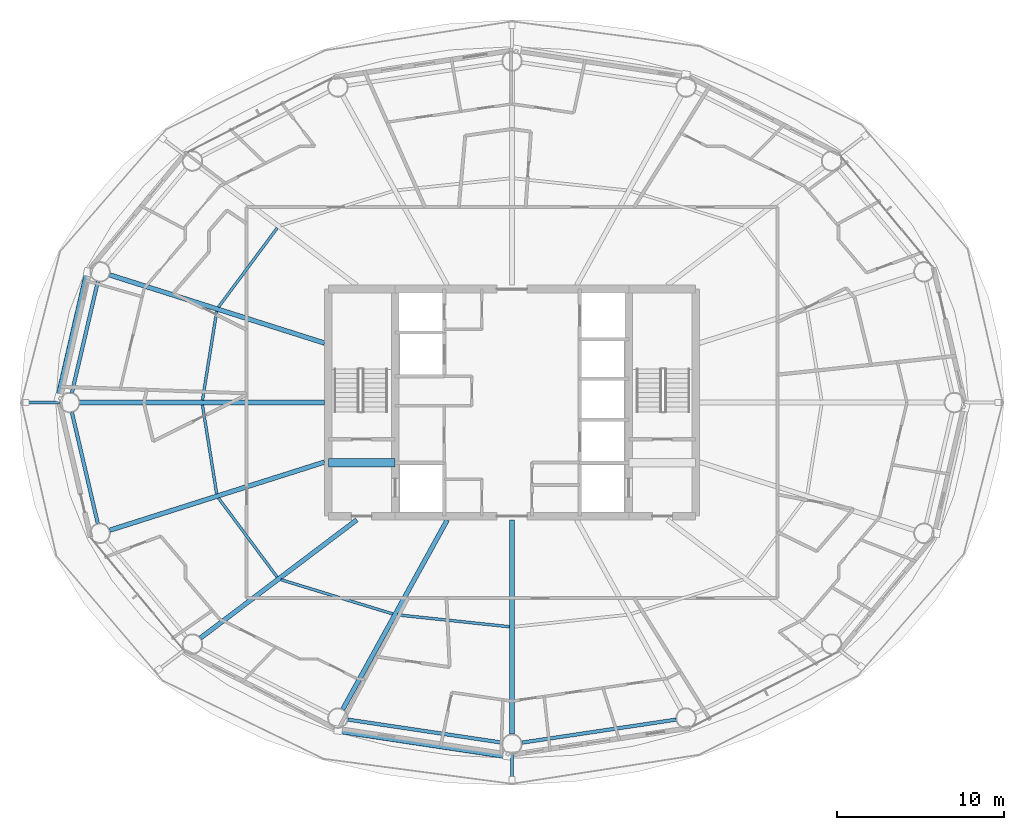
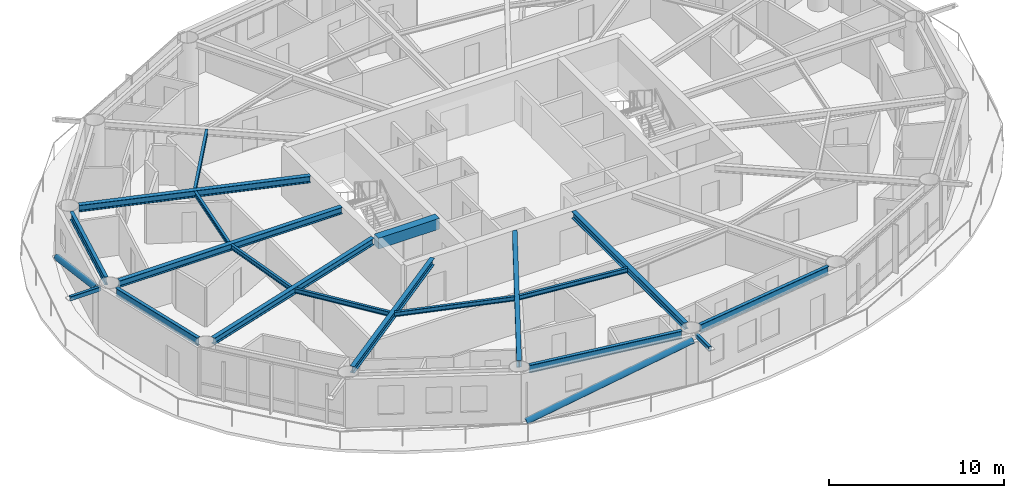
# One storey, part 4 of 28: 17 beams, 4 members.
"""IFC4 building model written with IfcOpenShell, lengths in metres."""

from ifc_helpers import new_model, si_unit, direction, frame, origin, origin_2d, place, context, subcontext, project, spatial, rectangle, hollow_rectangle, hollow_circle, i_section, extrude, material, material_profile, profile_set, type_object, element, save


model = new_model("IFC4")

# Units and contexts
model_context = context("Model", 3, precision=1e-05, world=origin(), true_north=direction((0.0, 1.0)))
body_context = subcontext(model_context, "Body", "Model", "MODEL_VIEW")
ifc_project = project(units=[si_unit("LENGTHUNIT", "METRE"), si_unit("AREAUNIT", "SQUARE_METRE"), si_unit("VOLUMEUNIT", "CUBIC_METRE"), si_unit("PLANEANGLEUNIT", "RADIAN"), si_unit("MASSUNIT", "GRAM", prefix="KILO")], contexts=[model_context])

# Site, building, storey
site_placement = place(None, origin())
site = spatial("IfcSite", under=ifc_project, at=site_placement, CompositionType="ELEMENT")
building_placement = place(site_placement, origin())
building = spatial("IfcBuilding", under=site, at=building_placement, Name="Sarneth Arch Tower", CompositionType="ELEMENT")
storey_placement = place(building_placement, frame((0.0, 0.0, 190.199951171875)))
storey = spatial("IfcBuildingStorey", under=building, at=storey_placement, Name="L48", CompositionType="ELEMENT", Elevation=190.199951171875)

# Beams
ifc_material_1 = material(Name="Steel S355", Category="steel")
ifc_material_profile_1 = material_profile(ifc_material_1, i_section(OverallWidth=0.1669921875, OverallDepth=0.31689453125, WebThickness=0.007568359375, FlangeThickness=0.01318359375, FilletRadius=0.012939453125, at=origin_2d()), Name="W310x52")
ifc_profile_set_1 = profile_set([ifc_material_profile_1], Name="Steel S355")
beam_type_1 = type_object("IfcBeamType", Name="BM-JOIST-310B", PredefinedType="JOIST", material=ifc_profile_set_1)
beam_1_placement = place(storey_placement, frame((33.941162109375, 52.449462890625, 3.221435546875), z_axis=(-0.596190586674, -0.802842938788, 0.0), x_axis=(0.802842938788, -0.596190586674, 0.0)))
element("IfcBeam", 1, at=beam_1_placement, inside=storey, type_object=beam_type_1, Name="L48 Secondary floor joist 07", PredefinedType="JOIST", context=body_context, shape_type="SweptSolid", body=[
    extrude(i_section(OverallWidth=0.1669921875, OverallDepth=0.31689453125, WebThickness=0.007568359375, FlangeThickness=0.01318359375, FilletRadius=0.012939453125, at=origin_2d()), origin(), (0.0, 0.0, 1.0), 5.896484375),
])
for number, where, z_axis, x_axis, name in (
    (2, (30.3203125, 47.46484375, 3.221435546875), (-0.158348792374, -0.987383238643, 0.0), (0.987383238643, -0.158348792374, 0.0), "L48 Secondary floor joist 08"),
    (3, (29.466064453125, 41.86181640625, 3.221435546875), (0.158348792374, -0.987383238643, 0.0), (0.987383238643, 0.158348792374, 0.0), "L48 Secondary floor joist 09"),
):
    element("IfcBeam", number, at=place(storey_placement, frame(where, z_axis=z_axis, x_axis=x_axis)), inside=storey, type_object=beam_type_1, Name=name, PredefinedType="JOIST", context=body_context, shape_type="SweptSolid", body=[
        extrude(i_section(OverallWidth=0.1669921875, OverallDepth=0.31689453125, WebThickness=0.007568359375, FlangeThickness=0.01318359375, FilletRadius=0.012939453125, at=origin_2d()), origin(), (0.0, 0.0, 1.0), 5.394775390625),
    ])
beam_2_placement = place(storey_placement, frame((30.42578125, 36.284423828125, 3.221435546875), z_axis=(0.596190586674, -0.802842938788, 0.0), x_axis=(0.802842938788, 0.596190586674, 0.0)))
element("IfcBeam", 4, at=beam_2_placement, inside=storey, type_object=beam_type_1, Name="L48 Secondary floor joist 10", PredefinedType="JOIST", context=body_context, shape_type="SweptSolid", body=[
    extrude(i_section(OverallWidth=0.1669921875, OverallDepth=0.31689453125, WebThickness=0.007568359375, FlangeThickness=0.01318359375, FilletRadius=0.012939453125, at=origin_2d()), origin(), (0.0, 0.0, 1.0), 5.896484375),
])
beam_3_placement = place(storey_placement, frame((34.15869140625, 31.397216796875, 3.221435546875), z_axis=(0.956178669891, -0.292783796076, 0.0), x_axis=(0.292783796076, 0.956178669891, 0.0)))
element("IfcBeam", 5, at=beam_3_placement, inside=storey, type_object=beam_type_1, Name="L48 Secondary floor joist 11", PredefinedType="JOIST", context=body_context, shape_type="SweptSolid", body=[
    extrude(i_section(OverallWidth=0.1669921875, OverallDepth=0.31689453125, WebThickness=0.007568359375, FlangeThickness=0.01318359375, FilletRadius=0.012939453125, at=origin_2d()), origin(), (0.0, 0.0, 1.0), 7.010986328125),
])
beam_4_placement = place(storey_placement, frame((41.1357421875, 29.288818359375, 3.221435546875), z_axis=(0.994447340543, -0.105235387994, 0.0), x_axis=(0.105235387994, 0.994447340543, 0.0)))
element("IfcBeam", 6, at=beam_4_placement, inside=storey, type_object=beam_type_1, Name="L48 Secondary floor joist 12", PredefinedType="JOIST", context=body_context, shape_type="SweptSolid", body=[
    extrude(i_section(OverallWidth=0.1669921875, OverallDepth=0.31689453125, WebThickness=0.007568359375, FlangeThickness=0.01318359375, FilletRadius=0.012939453125, at=origin_2d()), origin(), (0.0, 0.0, 1.0), 6.7626953125),
])
ifc_material_2 = material(Name="Concrete C50/60", Category="concrete")
ifc_material_profile_2 = material_profile(ifc_material_2, rectangle(XDim=0.5, YDim=0.75, at=origin_2d()), Name="RC-500x750")
ifc_profile_set_2 = profile_set([ifc_material_profile_2], Name="Concrete C50/60")
beam_type_2 = type_object("IfcBeamType", Name="BM-LINTEL-RC", PredefinedType="LINTEL", material=ifc_profile_set_2)
beam_5_placement = place(storey_placement, frame((37.0, 38.39990234375, 3.005126953125), z_axis=(1.0, 0.0, 0.0), x_axis=(0.0, 1.0, 0.0)))
element("IfcBeam", 7, at=beam_5_placement, inside=storey, type_object=beam_type_2, Name="L48 Core coupling lintel W", PredefinedType="LINTEL", context=body_context, shape_type="SweptSolid", body=[
    extrude(rectangle(XDim=0.5, YDim=0.75, at=origin_2d()), origin(), (0.0, 0.0, 1.0), 4.0),
])
ifc_material_3 = material(Name="Steel S355", Category="steel")
ifc_material_profile_3 = material_profile(ifc_material_3, i_section(OverallWidth=0.280029296875, OverallDepth=0.462890625, WebThickness=0.0107421875, FlangeThickness=0.017333984375, FilletRadius=0.01806640625, at=origin_2d()), Name="W460x113")
ifc_profile_set_3 = profile_set([ifc_material_profile_3], Name="Steel S355")
beam_type_3 = type_object("IfcBeamType", Name="BM-RAD-460A", PredefinedType="BEAM", material=ifc_profile_set_3)
beam_6_placement = place(storey_placement, frame((36.77490234375, 45.56201171875, 3.1484375), z_axis=(-0.95316541071, 0.30244949963, 0.0), x_axis=(-0.30244949963, -0.95316541071, 0.0)))
element("IfcBeam", 8, at=beam_6_placement, inside=storey, type_object=beam_type_3, Name="L48 Radial floor girder 08", PredefinedType="BEAM", context=body_context, shape_type="SweptSolid", body=[
    extrude(i_section(OverallWidth=0.280029296875, OverallDepth=0.462890625, WebThickness=0.0107421875, FlangeThickness=0.017333984375, FilletRadius=0.01806640625, at=origin_2d()), origin(), (0.0, 0.0, 1.0), 13.497314453125),
])
beam_7_placement = place(storey_placement, frame((36.77490234375, 42.0, 3.1484375), z_axis=(-1.0, 0.0, 0.0), x_axis=(0.0, -1.0, 0.0)))
element("IfcBeam", 9, at=beam_7_placement, inside=storey, type_object=beam_type_3, Name="L48 Radial floor girder 09", PredefinedType="BEAM", context=body_context, shape_type="SweptSolid", body=[
    extrude(i_section(OverallWidth=0.280029296875, OverallDepth=0.462890625, WebThickness=0.0107421875, FlangeThickness=0.017333984375, FilletRadius=0.01806640625, at=origin_2d()), origin(), (0.0, 0.0, 1.0), 14.661865234375),
])
beam_8_placement = place(storey_placement, frame((36.77490234375, 38.43798828125, 3.1484375), z_axis=(-0.95316541071, -0.30244949963, 0.0), x_axis=(0.30244949963, -0.95316541071, 0.0)))
element("IfcBeam", 10, at=beam_8_placement, inside=storey, type_object=beam_type_3, Name="L48 Radial floor girder 10", PredefinedType="BEAM", context=body_context, shape_type="SweptSolid", body=[
    extrude(i_section(OverallWidth=0.280029296875, OverallDepth=0.462890625, WebThickness=0.0107421875, FlangeThickness=0.017333984375, FilletRadius=0.01806640625, at=origin_2d()), origin(), (0.0, 0.0, 1.0), 13.497314453125),
])
beam_9_placement = place(storey_placement, frame((38.70458984375, 34.97509765625, 3.1484375), z_axis=(-0.797784574467, -0.602942594898, 0.0), x_axis=(0.602942594898, -0.797784574467, 0.0)))
element("IfcBeam", 11, at=beam_9_placement, inside=storey, type_object=beam_type_3, Name="L48 Radial floor girder 11", PredefinedType="BEAM", context=body_context, shape_type="SweptSolid", body=[
    extrude(i_section(OverallWidth=0.280029296875, OverallDepth=0.462890625, WebThickness=0.0107421875, FlangeThickness=0.017333984375, FilletRadius=0.01806640625, at=origin_2d()), origin(), (0.0, 0.0, 1.0), 11.73193359375),
])
beam_10_placement = place(storey_placement, frame((44.125, 34.97509765625, 3.1484375), z_axis=(-0.483010082599, -0.875614789795, 0.0), x_axis=(0.875614789795, -0.483010082599, 0.0)))
element("IfcBeam", 12, at=beam_10_placement, inside=storey, type_object=beam_type_3, Name="L48 Radial floor girder 12", PredefinedType="BEAM", context=body_context, shape_type="SweptSolid", body=[
    extrude(i_section(OverallWidth=0.280029296875, OverallDepth=0.462890625, WebThickness=0.0107421875, FlangeThickness=0.017333984375, FilletRadius=0.01806640625, at=origin_2d()), origin(), (0.0, 0.0, 1.0), 12.954345703125),
])
beam_11_placement = place(storey_placement, frame((48.0, 34.97509765625, 3.1484375), z_axis=(0.0, -1.0, 0.0), x_axis=(1.0, 0.0, 0.0)))
element("IfcBeam", 13, at=beam_11_placement, inside=storey, type_object=beam_type_3, Name="L48 Radial floor girder 13", PredefinedType="BEAM", context=body_context, shape_type="SweptSolid", body=[
    extrude(i_section(OverallWidth=0.280029296875, OverallDepth=0.462890625, WebThickness=0.0107421875, FlangeThickness=0.017333984375, FilletRadius=0.01806640625, at=origin_2d()), origin(), (0.0, 0.0, 1.0), 12.8251953125),
])
ifc_material_4 = material(Name="Steel S355", Category="steel")
ifc_material_profile_4 = material_profile(ifc_material_4, i_section(OverallWidth=0.214111328125, OverallDepth=0.549072265625, WebThickness=0.0146484375, FlangeThickness=0.023681640625, FilletRadius=0.01806640625, at=origin_2d()), Name="W530x138")
ifc_profile_set_4 = profile_set([ifc_material_profile_4], Name="Steel S355")
beam_type_4 = type_object("IfcBeamType", Name="BM-RAD-530A", PredefinedType="BEAM", material=ifc_profile_set_4)
for number, where, z_axis, x_axis, name in (
    (14, (23.20166015625, 49.241455078125, 3.10546875), (-0.227109937572, -0.973869126863, 0.0), (0.973869126863, -0.227109937572, 0.0), "L48 Perimeter spandrel beam 08"),
    (15, (21.649169921875, 41.415771484375, 3.10546875), (0.227109937572, -0.973869126863, 0.0), (0.973869126863, 0.227109937572, 0.0), "L48 Perimeter spandrel beam 09"),
):
    element("IfcBeam", number, at=place(storey_placement, frame(where, z_axis=z_axis, x_axis=x_axis)), inside=storey, type_object=beam_type_4, Name=name, PredefinedType="BEAM", context=body_context, shape_type="SweptSolid", body=[
        extrude(i_section(OverallWidth=0.214111328125, OverallDepth=0.549072265625, WebThickness=0.0146484375, FlangeThickness=0.023681640625, FilletRadius=0.01806640625, at=origin_2d()), origin(), (0.0, 0.0, 1.0), 6.8359375),
    ])
for number, where, z_axis, x_axis, name in (
    (16, (38.171630859375, 23.01806640625, 3.10546875), (0.98902783755, -0.147729267756, 0.0), (0.147729267756, 0.98902783755, 0.0), "L48 Perimeter spandrel beam 12"),
    (17, (48.593505859375, 21.638671875, 3.10546875), (0.98902783755, 0.147729267756, 0.0), (-0.147729267756, 0.98902783755, 0.0), "L48 Perimeter spandrel beam 13"),
):
    element("IfcBeam", number, at=place(storey_placement, frame(where, z_axis=z_axis, x_axis=x_axis)), inside=storey, type_object=beam_type_4, Name=name, PredefinedType="BEAM", context=body_context, shape_type="SweptSolid", body=[
        extrude(i_section(OverallWidth=0.214111328125, OverallDepth=0.549072265625, WebThickness=0.0146484375, FlangeThickness=0.023681640625, FilletRadius=0.01806640625, at=origin_2d()), origin(), (0.0, 0.0, 1.0), 9.33740234375),
    ])

# Members
ifc_material_5 = material(Name="Steel S355", Category="steel")
ifc_material_profile_5 = material_profile(ifc_material_5, hollow_rectangle(XDim=0.199951171875, YDim=0.300048828125, WallThickness=0.012451171875, InnerFilletRadius=0.018798828125, OuterFilletRadius=0.03125, at=origin_2d()), Name="RHS300x200x12.5")
ifc_profile_set_5 = profile_set([ifc_material_profile_5], Name="Steel S355")
member_type_1 = type_object("IfcMemberType", Name="MEM-CANT-STRUT", PredefinedType="STRUT", material=ifc_profile_set_5)
member_1_placement = place(storey_placement, frame((20.9130859375, 42.0, 3.219970703125), z_axis=(-1.0, 0.0, 0.0), x_axis=(0.0, -1.0, 0.0)))
element("IfcMember", 18, at=member_1_placement, inside=storey, type_object=member_type_1, Name="L48 Balcony cantilever bracket 09", PredefinedType="STRUT", context=body_context, shape_type="SweptSolid", body=[
    extrude(hollow_rectangle(XDim=0.199951171875, YDim=0.300048828125, WallThickness=0.012451171875, InnerFilletRadius=0.018798828125, OuterFilletRadius=0.03125, at=origin_2d()), origin(), (0.0, 0.0, 1.0), 2.00830078125),
])
member_2_placement = place(storey_placement, frame((48.0, 20.949951171875, 3.219970703125), z_axis=(0.0, -1.0, 0.0), x_axis=(1.0, 0.0, 0.0)))
element("IfcMember", 19, at=member_2_placement, inside=storey, type_object=member_type_1, Name="L48 Balcony cantilever bracket 13", PredefinedType="STRUT", context=body_context, shape_type="SweptSolid", body=[
    extrude(hollow_rectangle(XDim=0.199951171875, YDim=0.300048828125, WallThickness=0.012451171875, InnerFilletRadius=0.018798828125, OuterFilletRadius=0.03125, at=origin_2d()), origin(), (0.0, 0.0, 1.0), 1.541748046875),
])
ifc_material_6 = material(Name="Steel S355", Category="steel")
ifc_material_profile_6 = material_profile(ifc_material_6, hollow_circle(Radius=0.202880859375, WallThickness=0.01611328125, at=origin_2d()), Name="CHS406x16")
ifc_profile_set_6 = profile_set([ifc_material_profile_6], Name="Steel S355")
member_type_2 = type_object("IfcMemberType", Name="MEM-DIAG-BR2", PredefinedType="BRACE", material=ifc_profile_set_6)
member_3_placement = place(storey_placement, frame((22.609619140625, 49.81298828125, 0.02001953125), z_axis=(-0.209646277215, -0.90691666474, 0.365445757488), x_axis=(0.974306903917, -0.225224459107, 0.0)))
element("IfcMember", 20, at=member_3_placement, inside=storey, type_object=member_type_2, Name="L48 Perimeter frame diagonal 08", PredefinedType="BRACE", context=body_context, shape_type="SweptSolid", body=[
    extrude(hollow_circle(Radius=0.202880859375, WallThickness=0.01611328125, at=origin_2d()), origin(), (0.0, 0.0, 1.0), 8.292724609375),
])
member_4_placement = place(storey_placement, frame((37.595703125, 22.387451171875, 0.02001953125), z_axis=(0.948052912183, -0.142822782379, 0.284248708942), x_axis=(0.148967610144, 0.988842075929, 0.0)))
element("IfcMember", 21, at=member_4_placement, inside=storey, type_object=member_type_2, Name="L48 Perimeter frame diagonal 12", PredefinedType="BRACE", context=body_context, shape_type="SweptSolid", body=[
    extrude(hollow_circle(Radius=0.202880859375, WallThickness=0.01611328125, at=origin_2d()), origin(), (0.0, 0.0, 1.0), 10.66162109375),
])

save(model, "model.ifc")
